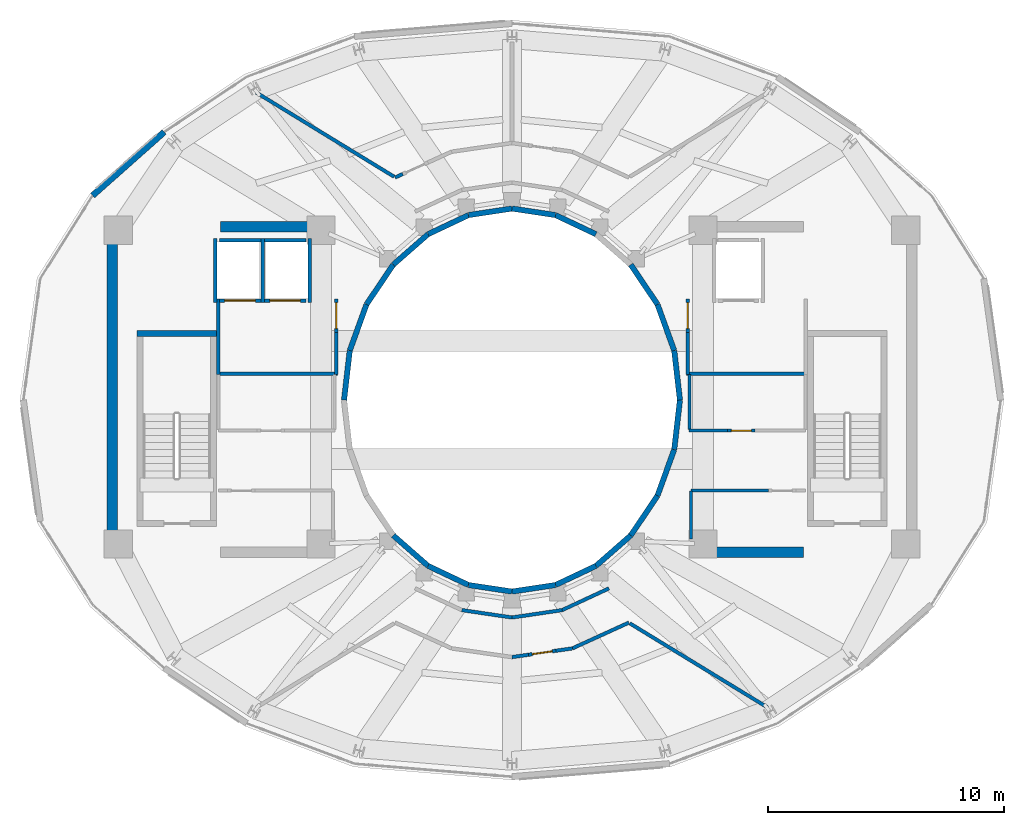
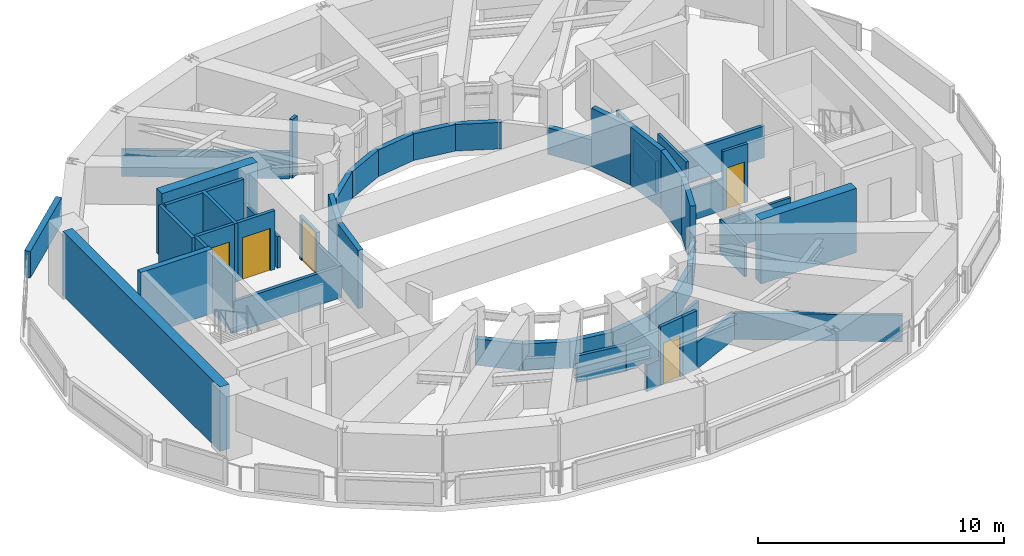
# One storey, part 14 of 18: 54 walls, 6 doors, 6 openings.
"""IFC4 building model written with IfcOpenShell, lengths in metres."""

from ifc_helpers import new_model, si_unit, direction, frame, frame_2d, origin, place, context, subcontext, project, spatial, rectangle, extrude, material, layer, layer_set, type_object, element, fill, save


model = new_model("IFC4")

# Units and contexts
model_context = context("Model", 3, precision=1e-05, world=origin(), true_north=direction((0.0, 1.0)))
body_context = subcontext(model_context, "Body", "Model", "MODEL_VIEW")
ifc_project = project(units=[si_unit("LENGTHUNIT", "METRE"), si_unit("AREAUNIT", "SQUARE_METRE"), si_unit("VOLUMEUNIT", "CUBIC_METRE"), si_unit("PLANEANGLEUNIT", "RADIAN"), si_unit("MASSUNIT", "GRAM", prefix="KILO")], contexts=[model_context])

# Site, building, storey
site_placement = place(None, origin())
site = spatial("IfcSite", under=ifc_project, at=site_placement, CompositionType="ELEMENT")
building_placement = place(site_placement, origin())
building = spatial("IfcBuilding", under=site, at=building_placement, Name="Solvane Sanctuary Tower", CompositionType="ELEMENT")
storey_placement = place(building_placement, frame((0.0, 0.0, 263.60009765625)))
storey = spatial("IfcBuildingStorey", under=building, at=storey_placement, Name="L80", CompositionType="ELEMENT", Elevation=263.60009765625)

# Walls
ifc_material_1 = material(Name="Concrete C50/60", Category="concrete")
ifc_layer_1 = layer(ifc_material_1, 0.449951171875, Name="Concrete C50/60")
ifc_layer_set_1 = layer_set([ifc_layer_1], Name="Concrete C50/60")
wall_type_1 = type_object("IfcWallType", Name="Wall W-CORE-450", PredefinedType="SHEAR", material=ifc_layer_set_1)
wall_1_placement = place(storey_placement, frame((15.050048828125, 17.050048828125, 0.0), z_axis=(0.0, 0.0, 1.0), x_axis=(0.0, 1.0, 0.0)))
element("IfcWall", 1, at=wall_1_placement, inside=storey, type_object=wall_type_1, Name="L80 Core Shear Wall WC-W", PredefinedType="SHEAR", context=body_context, shape_type="SweptSolid", body=[
    extrude(rectangle(XDim=12.800048828125, YDim=0.449951171875, at=frame_2d((6.39990234375, 0.0))), origin(), (0.0, 0.0, 1.0), 3.199951171875),
])
for number, where, z_axis, x_axis, name in (
    (2, (19.64990234375, 30.35009765625, 0.0), (0.0, 0.0, 1.0), (1.0, 0.0, 0.0), "L80 Core Shear Wall WC-N"),
    (3, (39.85009765625, 16.550048828125, 0.0), (0.0, 0.0, 1.0), (1.0, 0.0, 0.0), "L80 Core Shear Wall EC-S"),
):
    element("IfcWall", number, at=place(storey_placement, frame(where, z_axis=z_axis, x_axis=x_axis)), inside=storey, type_object=wall_type_1, Name=name, PredefinedType="SHEAR", context=body_context, shape_type="SweptSolid", body=[
        extrude(rectangle(XDim=4.5, YDim=0.449951171875, at=frame_2d((2.25, 0.0))), origin(), (0.0, 0.0, 1.0), 3.199951171875),
    ])
ifc_material_2 = material(Name="Acoustic Gypsum Partition Board")
ifc_layer_2 = layer(ifc_material_2, 0.14990234375, Name="Acoustic Gypsum Partition Board")
ifc_layer_set_2 = layer_set([ifc_layer_2], Name="Acoustic Gypsum Partition Board")
wall_type_2 = type_object("IfcWallType", Name="Wall W-CORR-150", PredefinedType="PARTITIONING", material=ifc_layer_set_2)
wall_2_placement = place(storey_placement, frame((19.52001953125, 24.1201171875, 0.0), z_axis=(0.0, 0.0, 1.0), x_axis=(1.0, 0.0, 0.0)))
element("IfcWall", 4, at=wall_2_placement, inside=storey, type_object=wall_type_2, Name="L80 West Firefighting Lobby South Wall", PredefinedType="PARTITIONING", context=body_context, shape_type="SweptSolid", body=[
    extrude(rectangle(XDim=5.080078125, YDim=0.14990234375, at=frame_2d((2.5400390625, 0.0))), origin(), (0.0, 0.0, 1.0), 1.56982421875),
])
wall_3_placement = place(storey_placement, frame((19.550048828125, 24.080078125, 0.0), z_axis=(0.0, 0.0, 1.0), x_axis=(0.0, 1.0, 0.0)))
element("IfcWall", 5, at=wall_3_placement, inside=storey, type_object=wall_type_2, Name="L80 West Firefighting Lobby West Wall", PredefinedType="PARTITIONING", context=body_context, shape_type="SweptSolid", body=[
    extrude(rectangle(XDim=3.199951171875, YDim=0.14990234375, at=frame_2d((1.60009765625, 0.0))), origin(), (0.0, 0.0, 1.0), 2.914794921875),
])
wall_4_placement = place(storey_placement, frame((24.550048828125, 24.080078125, 0.0), z_axis=(0.0, 0.0, 1.0), x_axis=(0.0, 1.0, 0.0)))
element("IfcWall", 6, at=wall_4_placement, inside=storey, type_object=wall_type_2, Name="L80 West Firefighting Lobby East Wall", PredefinedType="PARTITIONING", context=body_context, shape_type="SweptSolid", body=[
    extrude(rectangle(XDim=1.791015625, YDim=0.14990234375, at=frame_2d((0.8955078125, 0.0))), origin(), (0.0, 0.0, 1.0), 1.56982421875),
])

# Wall, opening, door
wall_5_placement = place(storey_placement, frame((24.550048828125, 25.87109375, 0.0), z_axis=(0.0, 0.0, 1.0), x_axis=(0.0, 1.0, 0.0)))
wall_5 = element("IfcWall", 7, at=wall_5_placement, inside=storey, type_object=wall_type_2, Name="L80 West Firefighting Lobby East Wall", PredefinedType="PARTITIONING", context=body_context, shape_type="SweptSolid", body=[
    extrude(rectangle(XDim=1.419921875, YDim=0.14990234375, at=frame_2d((0.7099609375, 0.0))), origin(), (0.0, 0.0, 1.0), 2.159912109375),
])
opening_1_placement = place(wall_5_placement, frame((0.159912109375, 0.0, 0.0)))
opening_1 = element("IfcOpeningElement", 8, at=opening_1_placement, cuts=wall_5, Name="Opening D-L80-03", PredefinedType="OPENING", context=body_context, shape_type="SweptSolid", body=[
    extrude(rectangle(XDim=1.10009765625, YDim=2.10009765625, at=frame_2d((0.550048828125, 1.050048828125))), frame((0.0, 0.0849609375, 0.0), z_axis=(0.0, -1.0, 0.0), x_axis=(1.0, 0.0, 0.0)), (0.0, 0.0, 1.0), 0.169921875),
])
ifc_material_3 = material(Name="Architectural Stainless Steel 316", Category="steel")
door_type_1 = type_object("IfcDoorType", Name="Door D-FFL", OperationType="NOTDEFINED", PredefinedType="DOOR", material=ifc_material_3)
door_1_placement = place(opening_1_placement, origin())
door_1 = element("IfcDoor", 9, at=door_1_placement, inside=storey, type_object=door_type_1, Name="L80 West Firefighting Lobby Fire Door", OperationType="SINGLE_SWING_RIGHT", OverallHeight=2.10009765625, OverallWidth=1.10009765625, PredefinedType="DOOR", context=body_context, shape_type="SweptSolid", body=[
    extrude(rectangle(XDim=1.10009765625, YDim=2.10009765625, at=frame_2d((0.550048828125, 1.050048828125))), frame((0.0, 0.02490234375, 0.0), z_axis=(0.0, -1.0, 0.0), x_axis=(1.0, 0.0, 0.0)), (0.0, 0.0, 1.0), 0.050048828125),
])
fill(opening_1, door_1)

# Walls
wall_6_placement = place(storey_placement, frame((39.39990234375, 24.1201171875, 0.0), z_axis=(0.0, 0.0, 1.0), x_axis=(1.0, 0.0, 0.0)))
element("IfcWall", 10, at=wall_6_placement, inside=storey, type_object=wall_type_2, Name="L80 East Firefighting Lobby South Wall", PredefinedType="PARTITIONING", context=body_context, shape_type="SweptSolid", body=[
    extrude(rectangle(XDim=5.080078125, YDim=0.14990234375, at=frame_2d((2.5400390625, 0.0))), origin(), (0.0, 0.0, 1.0), 1.56982421875),
])
wall_7_placement = place(storey_placement, frame((39.449951171875, 24.080078125, 0.0), z_axis=(0.0, 0.0, 1.0), x_axis=(0.0, 1.0, 0.0)))
element("IfcWall", 11, at=wall_7_placement, inside=storey, type_object=wall_type_2, Name="L80 East Firefighting Lobby West Wall", PredefinedType="PARTITIONING", context=body_context, shape_type="SweptSolid", body=[
    extrude(rectangle(XDim=1.791015625, YDim=0.14990234375, at=frame_2d((0.8955078125, 0.0))), origin(), (0.0, 0.0, 1.0), 1.56982421875),
])

# Wall, opening, door
wall_8_placement = place(storey_placement, frame((39.449951171875, 25.87109375, 0.0), z_axis=(0.0, 0.0, 1.0), x_axis=(0.0, 1.0, 0.0)))
wall_8 = element("IfcWall", 12, at=wall_8_placement, inside=storey, type_object=wall_type_2, Name="L80 East Firefighting Lobby West Wall", PredefinedType="PARTITIONING", context=body_context, shape_type="SweptSolid", body=[
    extrude(rectangle(XDim=1.419921875, YDim=0.14990234375, at=frame_2d((0.7099609375, 0.0))), origin(), (0.0, 0.0, 1.0), 2.159912109375),
])
opening_2_placement = place(wall_8_placement, frame((0.159912109375, 0.0, 0.0)))
opening_2 = element("IfcOpeningElement", 13, at=opening_2_placement, cuts=wall_8, Name="Opening D-L80-04", PredefinedType="OPENING", context=body_context, shape_type="SweptSolid", body=[
    extrude(rectangle(XDim=1.10009765625, YDim=2.10009765625, at=frame_2d((0.550048828125, 1.050048828125))), frame((0.0, 0.0849609375, 0.0), z_axis=(0.0, -1.0, 0.0), x_axis=(1.0, 0.0, 0.0)), (0.0, 0.0, 1.0), 0.169921875),
])
door_2_placement = place(opening_2_placement, origin())
door_2 = element("IfcDoor", 14, at=door_2_placement, inside=storey, type_object=door_type_1, Name="L80 East Firefighting Lobby Fire Door", OperationType="SINGLE_SWING_LEFT", OverallHeight=2.10009765625, OverallWidth=1.10009765625, PredefinedType="DOOR", context=body_context, shape_type="SweptSolid", body=[
    extrude(rectangle(XDim=1.10009765625, YDim=2.10009765625, at=frame_2d((0.550048828125, 1.050048828125))), frame((0.0, 0.02490234375, 0.0), z_axis=(0.0, -1.0, 0.0), x_axis=(1.0, 0.0, 0.0)), (0.0, 0.0, 1.0), 0.050048828125),
])
fill(opening_2, door_2)

# Walls
for number, where, z_axis, x_axis, name in (
    (15, (29.87255859375, 14.09423828125, 0.0), (0.0, 0.0, 1.0), (0.989268584896, -0.146108408166, 0.0), "L80 Light-Well Corridor Rim Wall S2"),
    (16, (32.0, 13.780029296875, 0.0), (0.0, 0.0, 1.0), (0.989268584896, 0.146108408166, 0.0), "L80 Light-Well Corridor Rim Wall S3"),
):
    element("IfcWall", number, at=place(storey_placement, frame(where, z_axis=z_axis, x_axis=x_axis)), inside=storey, type_object=wall_type_2, Name=name, PredefinedType="PARTITIONING", context=body_context, shape_type="SweptSolid", body=[
        extrude(rectangle(XDim=2.150634765625, YDim=0.14990234375, at=frame_2d((1.0751953125, 0.0))), origin(), (0.0, 0.0, 1.0), 1.31982421875),
    ])
wall_9_placement = place(storey_placement, frame((34.12744140625, 14.09423828125, 0.0), z_axis=(0.0, 0.0, 1.0), x_axis=(0.906943449489, 0.421252393975, 0.0)))
element("IfcWall", 17, at=wall_9_placement, inside=storey, type_object=wall_type_2, Name="L80 Light-Well Corridor Rim Wall S4", PredefinedType="PARTITIONING", context=body_context, shape_type="SweptSolid", body=[
    extrude(rectangle(XDim=2.18603515625, YDim=0.14990234375, at=frame_2d((1.093017578125, 0.0))), origin(), (0.0, 0.0, 1.0), 1.31982421875),
])
for number, where, z_axis, x_axis, name in (
    (18, (27.003173828125, 32.468505859375, 0.0), (0.0, 0.0, 1.0), (-0.853465247428, 0.521149759122, 0.0), "L80 Mechanical Plant Radial Wall 120"),
    (19, (36.996826171875, 13.531494140625, 0.0), (0.0, 0.0, 1.0), (0.853465247428, -0.521149759122, 0.0), "L80 Mechanical Plant Radial Wall 300"),
):
    element("IfcWall", number, at=place(storey_placement, frame(where, z_axis=z_axis, x_axis=x_axis)), inside=storey, type_object=wall_type_2, Name=name, PredefinedType="PARTITIONING", context=body_context, shape_type="SweptSolid", body=[
        extrude(rectangle(XDim=6.842041015625, YDim=0.14990234375, at=frame_2d((3.4208984375, 0.0))), origin(), (0.0, 0.0, 1.0), 1.31982421875),
    ])
wall_10_placement = place(storey_placement, frame((27.37158203125, 32.58544921875, 0.0), z_axis=(0.0, 0.0, 1.0), x_axis=(-0.909598918169, -0.415487434305, 0.0)))
element("IfcWall", 20, at=wall_10_placement, inside=storey, type_object=wall_type_2, Name="L80 Plant Corridor Wall 2", PredefinedType="PARTITIONING", context=body_context, shape_type="SweptSolid", body=[
    extrude(rectangle(XDim=0.360107421875, YDim=0.14990234375, at=frame_2d((0.18017578125, 0.0))), origin(), (0.0, 0.0, 1.0), 2.914794921875),
])
wall_11_placement = place(storey_placement, frame((31.998291015625, 12.10009765625, 0.0), z_axis=(0.0, 0.0, 1.0), x_axis=(0.989700813976, 0.143151314404, 0.0)))
element("IfcWall", 21, at=wall_11_placement, inside=storey, type_object=wall_type_2, Name="L80 Plant Corridor Wall 3", PredefinedType="PARTITIONING", context=body_context, shape_type="SweptSolid", body=[
    extrude(rectangle(XDim=0.711181640625, YDim=0.14990234375, at=frame_2d((0.35546875, 0.0))), origin(), (0.0, 0.0, 1.0), 1.31982421875),
])

# Wall, opening, door
wall_12_placement = place(storey_placement, frame((32.7021484375, 12.201904296875, 0.0), z_axis=(0.0, 0.0, 1.0), x_axis=(0.989642563126, 0.143553464776, 0.0)))
wall_12 = element("IfcWall", 22, at=wall_12_placement, inside=storey, type_object=wall_type_2, Name="L80 Plant Corridor Wall 3", PredefinedType="PARTITIONING", context=body_context, shape_type="SweptSolid", body=[
    extrude(rectangle(XDim=1.170166015625, YDim=0.14990234375, at=frame_2d((0.5849609375, 0.0))), origin(), (0.0, 0.0, 1.0), 2.914794921875),
])
opening_3_placement = place(wall_12_placement, frame((0.159912109375, 0.0, 0.0)))
opening_3 = element("IfcOpeningElement", 23, at=opening_3_placement, cuts=wall_12, Name="Opening D-L80-11", PredefinedType="OPENING", context=body_context, shape_type="SweptSolid", body=[
    extrude(rectangle(XDim=0.85009765625, YDim=2.050048828125, at=frame_2d((0.425048828125, 1.02490234375))), frame((0.0, 0.0849609375, 0.0), z_axis=(0.0, -1.0, 0.0), x_axis=(1.0, 0.0, 0.0)), (0.0, 0.0, 1.0), 0.169921875),
])
door_type_2 = type_object("IfcDoorType", Name="Door D-RISER", OperationType="NOTDEFINED", PredefinedType="DOOR", material=ifc_material_3)
door_3_placement = place(opening_3_placement, origin())
door_3 = element("IfcDoor", 24, at=door_3_placement, inside=storey, type_object=door_type_2, Name="L80 Plant Room Door 3", OperationType="SINGLE_SWING_RIGHT", OverallHeight=2.050048828125, OverallWidth=0.85009765625, PredefinedType="DOOR", context=body_context, shape_type="SweptSolid", body=[
    extrude(rectangle(XDim=0.85009765625, YDim=2.050048828125, at=frame_2d((0.425048828125, 1.02490234375))), frame((0.0, 0.02490234375, 0.0), z_axis=(0.0, -1.0, 0.0), x_axis=(1.0, 0.0, 0.0)), (0.0, 0.0, 1.0), 0.050048828125),
])
fill(opening_3, door_3)

# Walls
wall_13_placement = place(storey_placement, frame((33.860107421875, 12.369873046875, 0.0), z_axis=(0.0, 0.0, 1.0), x_axis=(0.989652123174, 0.143487543353, 0.0)))
element("IfcWall", 25, at=wall_13_placement, inside=storey, type_object=wall_type_2, Name="L80 Plant Corridor Wall 3", PredefinedType="PARTITIONING", context=body_context, shape_type="SweptSolid", body=[
    extrude(rectangle(XDim=0.711181640625, YDim=0.14990234375, at=frame_2d((0.35546875, 0.0))), origin(), (0.0, 0.0, 1.0), 2.914794921875),
])
wall_14_placement = place(storey_placement, frame((34.560546875, 12.470947265625, 0.0), z_axis=(0.0, 0.0, 1.0), x_axis=(0.909736731002, 0.415185597373, 0.0)))
element("IfcWall", 26, at=wall_14_placement, inside=storey, type_object=wall_type_2, Name="L80 Plant Corridor Wall 3", PredefinedType="PARTITIONING", context=body_context, shape_type="SweptSolid", body=[
    extrude(rectangle(XDim=2.63330078125, YDim=0.14990234375, at=frame_2d((1.316650390625, 0.0))), origin(), (0.0, 0.0, 1.0), 1.31982421875),
])
ifc_material_4 = material(Name="Precast concrete C40/50", Category="concrete")
ifc_layer_3 = layer(ifc_material_4, 0.260009765625, Name="Precast concrete C40/50")
ifc_layer_set_3 = layer_set([ifc_layer_3], Name="Precast concrete C40/50")
wall_type_3 = type_object("IfcWallType", Name="Wall W-EXT-250", PredefinedType="STANDARD", material=ifc_layer_set_3)
wall_15_placement = place(storey_placement, frame((17.253662109375, 34.364990234375, 0.0), z_axis=(0.0, 0.0, 1.0), x_axis=(-0.748042849834, -0.663650431185, 0.0)))
element("IfcWall", 27, at=wall_15_placement, inside=storey, type_object=wall_type_3, Name="L80 Crown Acoustic Louvred Wall 09", PredefinedType="STANDARD", context=body_context, shape_type="SweptSolid", body=[
    extrude(rectangle(XDim=4.058837890625, YDim=0.260009765625, at=frame_2d((2.029296875, 0.0))), origin(), (0.0, 0.0, 1.0), 1.31982421875),
])
ifc_layer_4 = layer(ifc_material_4, 0.22998046875, Name="Precast concrete C40/50")
ifc_layer_set_4 = layer_set([ifc_layer_4], Name="Precast concrete C40/50")
wall_type_4 = type_object("IfcWallType", Name="Wall W-EXT-SP220", PredefinedType="STANDARD", material=ifc_layer_set_4)
wall_16_placement = place(storey_placement, frame((39.1201171875, 23.0, 0.0), z_axis=(0.0, 0.0, 1.0), x_axis=(-0.114711713601, 0.993398823617, 0.0)))
element("IfcWall", 28, at=wall_16_placement, inside=storey, type_object=wall_type_4, Name="L80 Central Light-Well Wall 00", PredefinedType="STANDARD", context=body_context, shape_type="SweptSolid", body=[
    extrude(rectangle(XDim=2.115478515625, YDim=0.22998046875, at=frame_2d((1.0576171875, 0.0))), origin(), (0.0, 0.0, 1.0), 2.89990234375),
])
wall_17_placement = place(storey_placement, frame((38.87744140625, 25.1015625, 0.0), z_axis=(0.0, 0.0, 1.0), x_axis=(-0.341423187295, 0.93990968033, 0.0)))
element("IfcWall", 29, at=wall_17_placement, inside=storey, type_object=wall_type_4, Name="L80 Central Light-Well Wall 01", PredefinedType="STANDARD", context=body_context, shape_type="SweptSolid", body=[
    extrude(rectangle(XDim=2.083740234375, YDim=0.22998046875, at=frame_2d((1.0419921875, 0.0))), origin(), (0.0, 0.0, 1.0), 2.89990234375),
])
wall_18_placement = place(storey_placement, frame((38.166015625, 27.06005859375, 0.0), z_axis=(0.0, 0.0, 1.0), x_axis=(-0.558197800898, 0.829707909492, 0.0)))
element("IfcWall", 30, at=wall_18_placement, inside=storey, type_object=wall_type_4, Name="L80 Central Light-Well Wall 02", PredefinedType="STANDARD", context=body_context, shape_type="SweptSolid", body=[
    extrude(rectangle(XDim=2.02685546875, YDim=0.22998046875, at=frame_2d((1.013427734375, 0.0))), origin(), (0.0, 0.0, 1.0), 1.31982421875),
])
wall_19_placement = place(storey_placement, frame((35.56005859375, 30.031982421875, 0.0), z_axis=(0.0, 0.0, 1.0), x_axis=(-0.904179699603, 0.427152280606, 0.0)))
element("IfcWall", 31, at=wall_19_placement, inside=storey, type_object=wall_type_4, Name="L80 Central Light-Well Wall 04", PredefinedType="STANDARD", context=body_context, shape_type="SweptSolid", body=[
    extrude(rectangle(XDim=1.899169921875, YDim=0.22998046875, at=frame_2d((0.94970703125, 0.0))), origin(), (0.0, 0.0, 1.0), 1.31982421875),
])
for number, where, z_axis, x_axis, name in (
    (32, (33.8427734375, 30.84326171875, 0.0), (0.0, 0.0, 1.0), (-0.988901730308, 0.148571086668, 0.0), "L80 Central Light-Well Wall 05"),
    (33, (32.0, 31.1201171875, 0.0), (0.0, 0.0, 1.0), (-0.988901730308, -0.148571086668, 0.0), "L80 Central Light-Well Wall 06"),
):
    element("IfcWall", number, at=place(storey_placement, frame(where, z_axis=z_axis, x_axis=x_axis)), inside=storey, type_object=wall_type_4, Name=name, PredefinedType="STANDARD", context=body_context, shape_type="SweptSolid", body=[
        extrude(rectangle(XDim=1.863525390625, YDim=0.22998046875, at=frame_2d((0.931640625, 0.0))), origin(), (0.0, 0.0, 1.0), 1.31982421875),
    ])
wall_20_placement = place(storey_placement, frame((30.1572265625, 30.84326171875, 0.0), z_axis=(0.0, 0.0, 1.0), x_axis=(-0.904179699603, -0.427152280606, 0.0)))
element("IfcWall", 34, at=wall_20_placement, inside=storey, type_object=wall_type_4, Name="L80 Central Light-Well Wall 07", PredefinedType="STANDARD", context=body_context, shape_type="SweptSolid", body=[
    extrude(rectangle(XDim=1.899169921875, YDim=0.22998046875, at=frame_2d((0.94970703125, 0.0))), origin(), (0.0, 0.0, 1.0), 1.31982421875),
])
wall_21_placement = place(storey_placement, frame((28.43994140625, 30.031982421875, 0.0), z_axis=(0.0, 0.0, 1.0), x_axis=(-0.752576694707, -0.658504607869, 0.0)))
element("IfcWall", 35, at=wall_21_placement, inside=storey, type_object=wall_type_4, Name="L80 Central Light-Well Wall 08", PredefinedType="STANDARD", context=body_context, shape_type="SweptSolid", body=[
    extrude(rectangle(XDim=1.95947265625, YDim=0.22998046875, at=frame_2d((0.979736328125, 0.0))), origin(), (0.0, 0.0, 1.0), 1.31982421875),
])
wall_22_placement = place(storey_placement, frame((26.96533203125, 28.74169921875, 0.0), z_axis=(0.0, 0.0, 1.0), x_axis=(-0.558197800898, -0.829707909492, 0.0)))
element("IfcWall", 36, at=wall_22_placement, inside=storey, type_object=wall_type_4, Name="L80 Central Light-Well Wall 09", PredefinedType="STANDARD", context=body_context, shape_type="SweptSolid", body=[
    extrude(rectangle(XDim=2.02685546875, YDim=0.22998046875, at=frame_2d((1.013427734375, 0.0))), origin(), (0.0, 0.0, 1.0), 1.31982421875),
])
wall_23_placement = place(storey_placement, frame((25.833984375, 27.06005859375, 0.0), z_axis=(0.0, 0.0, 1.0), x_axis=(-0.341423187295, -0.93990968033, 0.0)))
element("IfcWall", 37, at=wall_23_placement, inside=storey, type_object=wall_type_4, Name="L80 Central Light-Well Wall 10", PredefinedType="STANDARD", context=body_context, shape_type="SweptSolid", body=[
    extrude(rectangle(XDim=2.083740234375, YDim=0.22998046875, at=frame_2d((1.0419921875, 0.0))), origin(), (0.0, 0.0, 1.0), 2.89990234375),
])
wall_24_placement = place(storey_placement, frame((25.12255859375, 25.1015625, 0.0), z_axis=(0.0, 0.0, 1.0), x_axis=(-0.114711713601, -0.993398823617, 0.0)))
element("IfcWall", 38, at=wall_24_placement, inside=storey, type_object=wall_type_4, Name="L80 Central Light-Well Wall 11", PredefinedType="STANDARD", context=body_context, shape_type="SweptSolid", body=[
    extrude(rectangle(XDim=2.115478515625, YDim=0.22998046875, at=frame_2d((1.0576171875, 0.0))), origin(), (0.0, 0.0, 1.0), 2.89990234375),
])
wall_25_placement = place(storey_placement, frame((26.96533203125, 17.25830078125, 0.0), z_axis=(0.0, 0.0, 1.0), x_axis=(0.752576694707, -0.658504607869, 0.0)))
element("IfcWall", 39, at=wall_25_placement, inside=storey, type_object=wall_type_4, Name="L80 Central Light-Well Wall 15", PredefinedType="STANDARD", context=body_context, shape_type="SweptSolid", body=[
    extrude(rectangle(XDim=1.95947265625, YDim=0.22998046875, at=frame_2d((0.979736328125, 0.0))), origin(), (0.0, 0.0, 1.0), 1.31982421875),
])
wall_26_placement = place(storey_placement, frame((28.43994140625, 15.968017578125, 0.0), z_axis=(0.0, 0.0, 1.0), x_axis=(0.904179699603, -0.427152280606, 0.0)))
element("IfcWall", 40, at=wall_26_placement, inside=storey, type_object=wall_type_4, Name="L80 Central Light-Well Wall 16", PredefinedType="STANDARD", context=body_context, shape_type="SweptSolid", body=[
    extrude(rectangle(XDim=1.899169921875, YDim=0.22998046875, at=frame_2d((0.94970703125, 0.0))), origin(), (0.0, 0.0, 1.0), 1.31982421875),
])
for number, where, z_axis, x_axis, name in (
    (41, (30.1572265625, 15.15673828125, 0.0), (0.0, 0.0, 1.0), (0.988901730308, -0.148571086668, 0.0), "L80 Central Light-Well Wall 17"),
    (42, (32.0, 14.8798828125, 0.0), (0.0, 0.0, 1.0), (0.988901730308, 0.148571086668, 0.0), "L80 Central Light-Well Wall 18"),
):
    element("IfcWall", number, at=place(storey_placement, frame(where, z_axis=z_axis, x_axis=x_axis)), inside=storey, type_object=wall_type_4, Name=name, PredefinedType="STANDARD", context=body_context, shape_type="SweptSolid", body=[
        extrude(rectangle(XDim=1.863525390625, YDim=0.22998046875, at=frame_2d((0.931640625, 0.0))), origin(), (0.0, 0.0, 1.0), 1.31982421875),
    ])
wall_27_placement = place(storey_placement, frame((33.8427734375, 15.15673828125, 0.0), z_axis=(0.0, 0.0, 1.0), x_axis=(0.904179699603, 0.427152280606, 0.0)))
element("IfcWall", 43, at=wall_27_placement, inside=storey, type_object=wall_type_4, Name="L80 Central Light-Well Wall 19", PredefinedType="STANDARD", context=body_context, shape_type="SweptSolid", body=[
    extrude(rectangle(XDim=1.899169921875, YDim=0.22998046875, at=frame_2d((0.94970703125, 0.0))), origin(), (0.0, 0.0, 1.0), 1.31982421875),
])
wall_28_placement = place(storey_placement, frame((35.56005859375, 15.968017578125, 0.0), z_axis=(0.0, 0.0, 1.0), x_axis=(0.752576694707, 0.658504607869, 0.0)))
element("IfcWall", 44, at=wall_28_placement, inside=storey, type_object=wall_type_4, Name="L80 Central Light-Well Wall 20", PredefinedType="STANDARD", context=body_context, shape_type="SweptSolid", body=[
    extrude(rectangle(XDim=1.95947265625, YDim=0.22998046875, at=frame_2d((0.979736328125, 0.0))), origin(), (0.0, 0.0, 1.0), 1.31982421875),
])
wall_29_placement = place(storey_placement, frame((37.03466796875, 17.25830078125, 0.0), z_axis=(0.0, 0.0, 1.0), x_axis=(0.558197800898, 0.829707909492, 0.0)))
element("IfcWall", 45, at=wall_29_placement, inside=storey, type_object=wall_type_4, Name="L80 Central Light-Well Wall 21", PredefinedType="STANDARD", context=body_context, shape_type="SweptSolid", body=[
    extrude(rectangle(XDim=2.02685546875, YDim=0.22998046875, at=frame_2d((1.013427734375, 0.0))), origin(), (0.0, 0.0, 1.0), 1.31982421875),
])
wall_30_placement = place(storey_placement, frame((38.166015625, 18.93994140625, 0.0), z_axis=(0.0, 0.0, 1.0), x_axis=(0.341423187295, 0.93990968033, 0.0)))
element("IfcWall", 46, at=wall_30_placement, inside=storey, type_object=wall_type_4, Name="L80 Central Light-Well Wall 22", PredefinedType="STANDARD", context=body_context, shape_type="SweptSolid", body=[
    extrude(rectangle(XDim=2.083740234375, YDim=0.22998046875, at=frame_2d((1.0419921875, 0.0))), origin(), (0.0, 0.0, 1.0), 2.89990234375),
])
wall_31_placement = place(storey_placement, frame((38.87744140625, 20.8984375, 0.0), z_axis=(0.0, 0.0, 1.0), x_axis=(0.114711713601, 0.993398823617, 0.0)))
element("IfcWall", 47, at=wall_31_placement, inside=storey, type_object=wall_type_4, Name="L80 Central Light-Well Wall 23", PredefinedType="STANDARD", context=body_context, shape_type="SweptSolid", body=[
    extrude(rectangle(XDim=2.115478515625, YDim=0.22998046875, at=frame_2d((1.0576171875, 0.0))), origin(), (0.0, 0.0, 1.0), 2.89990234375),
])
ifc_layer_5 = layer(ifc_material_2, 0.125, Name="Acoustic Gypsum Partition Board")
ifc_layer_set_5 = layer_set([ifc_layer_5], Name="Acoustic Gypsum Partition Board")
wall_type_5 = type_object("IfcWallType", Name="Wall W-PART-125", PredefinedType="PARTITIONING", material=ifc_layer_set_5)
wall_32_placement = place(storey_placement, frame((39.580078125, 19.159912109375, 0.0), z_axis=(0.0, 0.0, 1.0), x_axis=(1.0, 0.0, 0.0)))
element("IfcWall", 48, at=wall_32_placement, inside=storey, type_object=wall_type_5, Name="L80 Reclaimed Room Partition PLE", PredefinedType="PARTITIONING", context=body_context, shape_type="SweptSolid", body=[
    extrude(rectangle(XDim=3.2900390625, YDim=0.125, at=frame_2d((1.64501953125, 0.0))), origin(), (0.0, 0.0, 1.0), 1.56982421875),
])
wall_33_placement = place(storey_placement, frame((39.580078125, 17.10009765625, 0.0), z_axis=(0.0, 0.0, 1.0), x_axis=(0.0, 1.0, 0.0)))
element("IfcWall", 49, at=wall_33_placement, inside=storey, type_object=wall_type_5, Name="L80 Reclaimed Room Closer Wall PLE-1", PredefinedType="PARTITIONING", context=body_context, shape_type="SweptSolid", body=[
    extrude(rectangle(XDim=2.039794921875, YDim=0.125, at=frame_2d((1.02001953125, 0.0))), origin(), (0.0, 0.0, 1.0), 1.56982421875),
])
wall_34_placement = place(storey_placement, frame((39.5, 21.699951171875, 0.0), z_axis=(0.0, 0.0, 1.0), x_axis=(1.0, 0.0, 0.0)))
element("IfcWall", 50, at=wall_34_placement, inside=storey, type_object=wall_type_5, Name="L80 Reclaimed Room Partition PME", PredefinedType="PARTITIONING", context=body_context, shape_type="SweptSolid", body=[
    extrude(rectangle(XDim=1.639892578125, YDim=0.125, at=frame_2d((0.81982421875, 0.0))), origin(), (0.0, 0.0, 1.0), 1.56982421875),
])

# Wall, opening, door
wall_35_placement = place(storey_placement, frame((41.139892578125, 21.699951171875, 0.0), z_axis=(0.0, 0.0, 1.0), x_axis=(1.0, 0.0, 0.0)))
wall_35 = element("IfcWall", 51, at=wall_35_placement, inside=storey, type_object=wall_type_5, Name="L80 Reclaimed Room Partition PME", PredefinedType="PARTITIONING", context=body_context, shape_type="SweptSolid", body=[
    extrude(rectangle(XDim=1.170166015625, YDim=0.125, at=frame_2d((0.5849609375, 0.0))), origin(), (0.0, 0.0, 1.0), 2.914794921875),
])
opening_4_placement = place(wall_35_placement, frame((0.159912109375, 0.0, 0.0)))
opening_4 = element("IfcOpeningElement", 52, at=opening_4_placement, cuts=wall_35, Name="Opening D-L80-08", PredefinedType="OPENING", context=body_context, shape_type="SweptSolid", body=[
    extrude(rectangle(XDim=0.85009765625, YDim=2.050048828125, at=frame_2d((0.425048828125, 1.02490234375))), frame((0.0, 0.072509765625, 0.0), z_axis=(0.0, -1.0, 0.0), x_axis=(1.0, 0.0, 0.0)), (0.0, 0.0, 1.0), 0.14501953125),
])
door_4_placement = place(opening_4_placement, origin())
door_4 = element("IfcDoor", 53, at=door_4_placement, inside=storey, type_object=door_type_2, Name="L80 Reclaimed Room Door PME-1", OperationType="SINGLE_SWING_LEFT", OverallHeight=2.050048828125, OverallWidth=0.85009765625, PredefinedType="DOOR", context=body_context, shape_type="SweptSolid", body=[
    extrude(rectangle(XDim=0.85009765625, YDim=2.050048828125, at=frame_2d((0.425048828125, 1.02490234375))), frame((0.0, 0.02490234375, 0.0), z_axis=(0.0, -1.0, 0.0), x_axis=(1.0, 0.0, 0.0)), (0.0, 0.0, 1.0), 0.050048828125),
])
fill(opening_4, door_4)

# Wall
wall_36_placement = place(storey_placement, frame((39.52001953125, 21.760009765625, 0.0), z_axis=(0.0, 0.0, 1.0), x_axis=(0.0, 1.0, 0.0)))
element("IfcWall", 54, at=wall_36_placement, inside=storey, type_object=wall_type_5, Name="L80 Reclaimed Room Closer Wall PME-1", PredefinedType="PARTITIONING", context=body_context, shape_type="SweptSolid", body=[
    extrude(rectangle(XDim=2.320068359375, YDim=0.125, at=frame_2d((1.16015625, 0.0))), origin(), (0.0, 0.0, 1.0), 2.914794921875),
])

# Wall, opening, door
ifc_layer_6 = layer(ifc_material_1, 0.14990234375, Name="Concrete C50/60")
ifc_layer_set_6 = layer_set([ifc_layer_6], Name="Concrete C50/60")
wall_type_6 = type_object("IfcWallType", Name="Wall W-SHAFT-150", PredefinedType="SOLIDWALL", material=ifc_layer_set_6)
wall_37_placement = place(storey_placement, frame((19.590087890625, 27.219970703125, 0.0), z_axis=(0.0, 0.0, 1.0), x_axis=(1.0, 0.0, 0.0)))
wall_37 = element("IfcWall", 55, at=wall_37_placement, inside=storey, type_object=wall_type_6, Name="L80 FFL-1 Lift Shaft Wall F", PredefinedType="SOLIDWALL", context=body_context, shape_type="SweptSolid", body=[
    extrude(rectangle(XDim=1.760009765625, YDim=0.14990234375, at=frame_2d((0.8798828125, 0.0))), origin(), (0.0, 0.0, 1.0), 2.914794921875),
])
opening_5_placement = place(wall_37_placement, frame((0.22998046875, 0.0, 0.0)))
opening_5 = element("IfcOpeningElement", 56, at=opening_5_placement, cuts=wall_37, Name="Opening LD-L80-01", PredefinedType="OPENING", context=body_context, shape_type="SweptSolid", body=[
    extrude(rectangle(XDim=1.300048828125, YDim=2.10009765625, at=frame_2d((0.64990234375, 1.050048828125))), frame((0.0, 0.0849609375, 0.0), z_axis=(0.0, -1.0, 0.0), x_axis=(1.0, 0.0, 0.0)), (0.0, 0.0, 1.0), 0.169921875),
])
door_type_3 = type_object("IfcDoorType", Name="Door LD-FFL-1300", OperationType="NOTDEFINED", PredefinedType="DOOR", material=ifc_material_3)
door_5_placement = place(opening_5_placement, origin())
door_5 = element("IfcDoor", 57, at=door_5_placement, inside=storey, type_object=door_type_3, Name="L80 FFL-1 Lift Landing Door", OperationType="DOUBLE_DOOR_SLIDING", OverallHeight=2.10009765625, OverallWidth=1.300048828125, PredefinedType="DOOR", context=body_context, shape_type="SweptSolid", body=[
    extrude(rectangle(XDim=1.300048828125, YDim=2.10009765625, at=frame_2d((0.64990234375, 1.050048828125))), frame((0.0, 0.02490234375, 0.0), z_axis=(0.0, -1.0, 0.0), x_axis=(1.0, 0.0, 0.0)), (0.0, 0.0, 1.0), 0.050048828125),
])
fill(opening_5, door_5)

# Walls
wall_38_placement = place(storey_placement, frame((19.590087890625, 29.780029296875, 0.0), z_axis=(0.0, 0.0, 1.0), x_axis=(1.0, 0.0, 0.0)))
element("IfcWall", 58, at=wall_38_placement, inside=storey, type_object=wall_type_6, Name="L80 FFL-1 Lift Shaft Wall B", PredefinedType="SOLIDWALL", context=body_context, shape_type="SweptSolid", body=[
    extrude(rectangle(XDim=1.760009765625, YDim=0.14990234375, at=frame_2d((0.8798828125, 0.0))), origin(), (0.0, 0.0, 1.0), 2.914794921875),
])
for number, where, z_axis, x_axis, name in (
    (59, (19.419921875, 27.139892578125, 0.0), (0.0, 0.0, 1.0), (0.0, 1.0, 0.0), "L80 FFL-1 Lift Shaft Wall S1"),
    (60, (21.425048828125, 27.139892578125, 0.0), (0.0, 0.0, 1.0), (0.0, 1.0, 0.0), "L80 FFL-1 Lift Shaft Wall S2"),
):
    element("IfcWall", number, at=place(storey_placement, frame(where, z_axis=z_axis, x_axis=x_axis)), inside=storey, type_object=wall_type_6, Name=name, PredefinedType="SOLIDWALL", context=body_context, shape_type="SweptSolid", body=[
        extrude(rectangle(XDim=2.72021484375, YDim=0.14990234375, at=frame_2d((1.360107421875, 0.0))), origin(), (0.0, 0.0, 1.0), 2.914794921875),
    ])

# Wall, opening, door
wall_39_placement = place(storey_placement, frame((21.5, 27.219970703125, 0.0), z_axis=(0.0, 0.0, 1.0), x_axis=(1.0, 0.0, 0.0)))
wall_39 = element("IfcWall", 61, at=wall_39_placement, inside=storey, type_object=wall_type_6, Name="L80 SVL-1 Lift Shaft Wall F", PredefinedType="SOLIDWALL", context=body_context, shape_type="SweptSolid", body=[
    extrude(rectangle(XDim=1.760009765625, YDim=0.14990234375, at=frame_2d((0.8798828125, 0.0))), origin(), (0.0, 0.0, 1.0), 2.914794921875),
])
opening_6_placement = place(wall_39_placement, frame((0.22998046875, 0.0, 0.0)))
opening_6 = element("IfcOpeningElement", 62, at=opening_6_placement, cuts=wall_39, Name="Opening LD-L80-02", PredefinedType="OPENING", context=body_context, shape_type="SweptSolid", body=[
    extrude(rectangle(XDim=1.300048828125, YDim=2.10009765625, at=frame_2d((0.64990234375, 1.050048828125))), frame((0.0, 0.0849609375, 0.0), z_axis=(0.0, -1.0, 0.0), x_axis=(1.0, 0.0, 0.0)), (0.0, 0.0, 1.0), 0.169921875),
])
door_6_placement = place(opening_6_placement, origin())
door_6 = element("IfcDoor", 63, at=door_6_placement, inside=storey, type_object=door_type_3, Name="L80 SVL-1 Lift Landing Door", OperationType="DOUBLE_DOOR_SLIDING", OverallHeight=2.10009765625, OverallWidth=1.300048828125, PredefinedType="DOOR", context=body_context, shape_type="SweptSolid", body=[
    extrude(rectangle(XDim=1.300048828125, YDim=2.10009765625, at=frame_2d((0.64990234375, 1.050048828125))), frame((0.0, 0.02490234375, 0.0), z_axis=(0.0, -1.0, 0.0), x_axis=(1.0, 0.0, 0.0)), (0.0, 0.0, 1.0), 0.050048828125),
])
fill(opening_6, door_6)

# Walls
wall_40_placement = place(storey_placement, frame((21.5, 29.780029296875, 0.0), z_axis=(0.0, 0.0, 1.0), x_axis=(1.0, 0.0, 0.0)))
element("IfcWall", 64, at=wall_40_placement, inside=storey, type_object=wall_type_6, Name="L80 SVL-1 Lift Shaft Wall B", PredefinedType="SOLIDWALL", context=body_context, shape_type="SweptSolid", body=[
    extrude(rectangle(XDim=1.760009765625, YDim=0.14990234375, at=frame_2d((0.8798828125, 0.0))), origin(), (0.0, 0.0, 1.0), 2.914794921875),
])
wall_41_placement = place(storey_placement, frame((23.429931640625, 27.139892578125, 0.0), z_axis=(0.0, 0.0, 1.0), x_axis=(0.0, 1.0, 0.0)))
element("IfcWall", 65, at=wall_41_placement, inside=storey, type_object=wall_type_6, Name="L80 SVL-1 Lift Shaft Wall S2", PredefinedType="SOLIDWALL", context=body_context, shape_type="SweptSolid", body=[
    extrude(rectangle(XDim=2.72021484375, YDim=0.14990234375, at=frame_2d((1.360107421875, 0.0))), origin(), (0.0, 0.0, 1.0), 1.56982421875),
])
ifc_layer_7 = layer(ifc_material_1, 0.25, Name="Concrete C50/60")
ifc_layer_set_7 = layer_set([ifc_layer_7], Name="Concrete C50/60")
wall_type_7 = type_object("IfcWallType", Name="Wall W-SHAFT-250", PredefinedType="SOLIDWALL", material=ifc_layer_set_7)
wall_42_placement = place(storey_placement, frame((16.10498046875, 25.830078125, 0.0), z_axis=(0.0, 0.0, 1.0), x_axis=(1.0, 0.0, 0.0)))
element("IfcWall", 66, at=wall_42_placement, inside=storey, type_object=wall_type_7, Name="L80 ST-1 Load-Bearing Shaft Wall N", PredefinedType="SOLIDWALL", context=body_context, shape_type="SweptSolid", body=[
    extrude(rectangle(XDim=3.3701171875, YDim=0.25, at=frame_2d((1.68505859375, 0.0))), origin(), (0.0, 0.0, 1.0), 3.199951171875),
])

save(model, "model.ifc")
